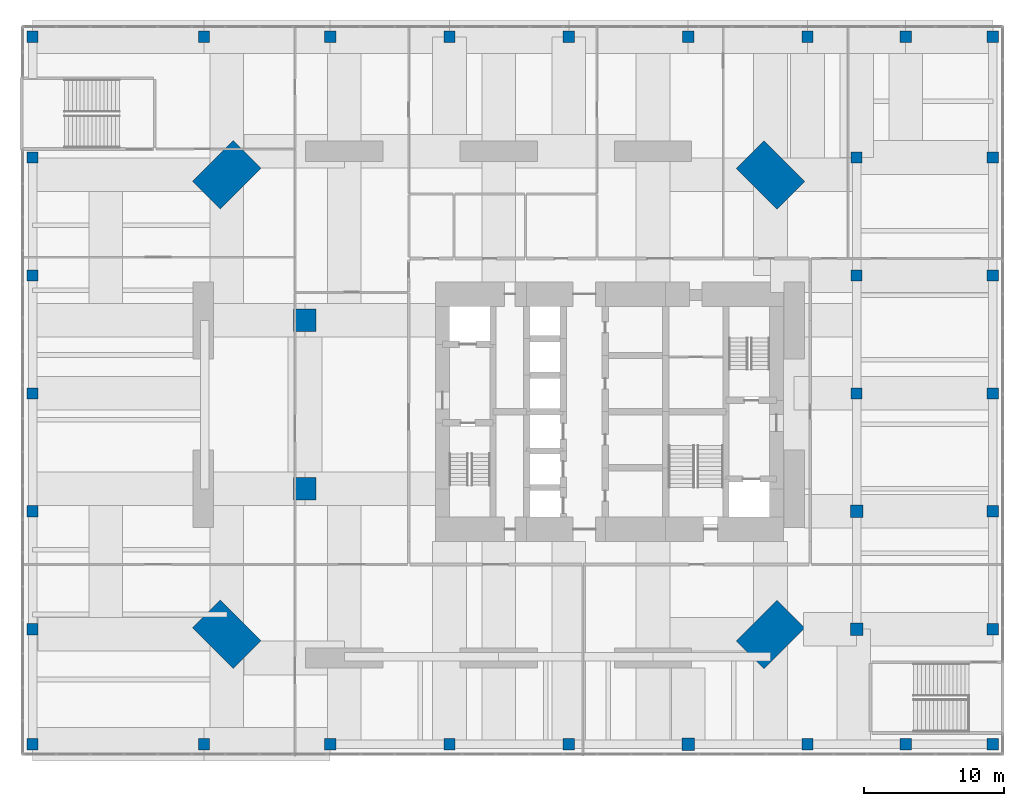
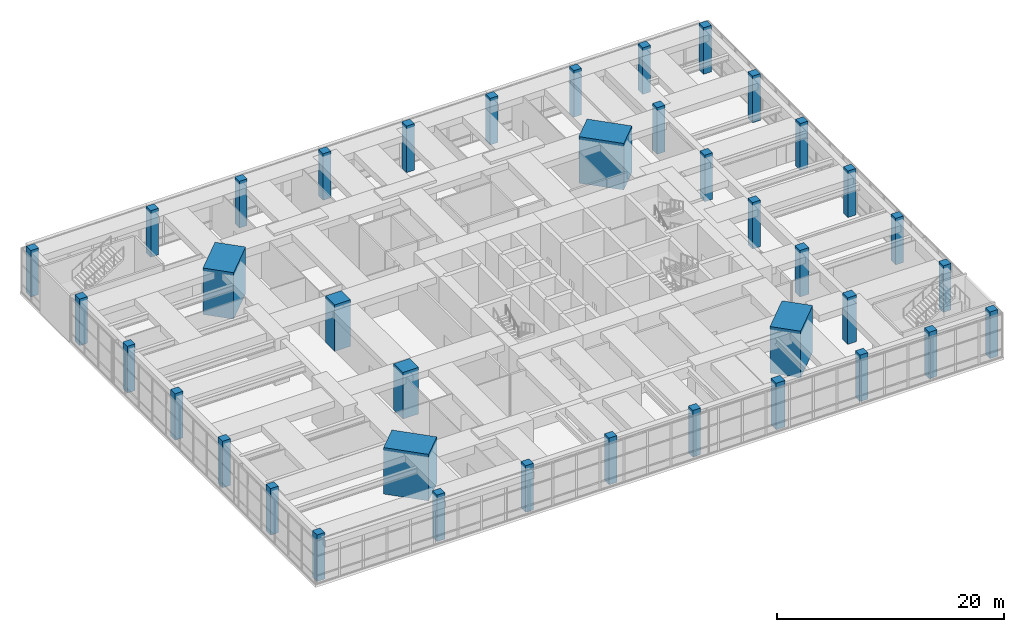
# One storey, part 1 of 24: 39 columns.
"""IFC4 building model written with IfcOpenShell, lengths in metres."""

from ifc_helpers import new_model, si_unit, direction, frame, origin, origin_2d, place, context, subcontext, project, spatial, rectangle, extrude, material, material_profile, profile_set, type_object, element, save


model = new_model("IFC4")

# Units and contexts
model_context = context("Model", 3, precision=1e-05, world=origin(), true_north=direction((0.0, 1.0)))
body_context = subcontext(model_context, "Body", "Model", "MODEL_VIEW")
ifc_project = project(units=[si_unit("LENGTHUNIT", "METRE"), si_unit("AREAUNIT", "SQUARE_METRE"), si_unit("VOLUMEUNIT", "CUBIC_METRE"), si_unit("PLANEANGLEUNIT", "RADIAN"), si_unit("MASSUNIT", "GRAM", prefix="KILO")], contexts=[model_context])

# Site, building, storey
site_placement = place(None, origin())
site = spatial("IfcSite", under=ifc_project, at=site_placement, CompositionType="ELEMENT")
building_placement = place(site_placement, origin())
building = spatial("IfcBuilding", under=site, at=building_placement, Name="Jalousie Tower", CompositionType="ELEMENT")
storey_placement = place(building_placement, frame((0.0, 0.0, 11.0)))
storey = spatial("IfcBuildingStorey", under=building, at=storey_placement, Name="L02", CompositionType="ELEMENT", Elevation=11.0)

# Columns
ifc_material_1 = material(Name="Concrete f'c 120 MPa", Category="concrete")
ifc_material_profile_1 = material_profile(ifc_material_1, rectangle(XDim=1.60009765625, YDim=1.60009765625, at=origin_2d()), Name="RC 1600x1600")
ifc_profile_set_1 = profile_set([ifc_material_profile_1], Name="Concrete f'c 120 MPa")
column_type_1 = type_object("IfcColumnType", Name="RC COLUMN 1600x1600", PredefinedType="COLUMN", material=ifc_profile_set_1)
for number, where, z_axis, x_axis, name in (
    (1, (10.199951171875, 13.0, 0.0), (0.0, 0.0, 1.0), (1.0, 0.0, 0.0), "Interior column IA1 L02"),
    (2, (10.199951171875, 25.0, 0.0), (0.0, 0.0, 1.0), (1.0, 0.0, 0.0), "Interior column IA2 L02"),
):
    element("IfcColumn", number, at=place(storey_placement, frame(where, z_axis=z_axis, x_axis=x_axis)), inside=storey, type_object=column_type_1, Name=name, PredefinedType="COLUMN", context=body_context, shape_type="SweptSolid", body=[
        extrude(rectangle(XDim=1.60009765625, YDim=1.60009765625, at=origin_2d()), origin(), (0.0, 0.0, 1.0), 5.0),
    ])
ifc_material_2 = material(Name="Concrete f'c 120 MPa", Category="concrete")
ifc_material_profile_2 = material_profile(ifc_material_2, rectangle(XDim=0.800048828125, YDim=0.800048828125, at=origin_2d()), Name="RC 800x800")
ifc_profile_set_2 = profile_set([ifc_material_profile_2], Name="Concrete f'c 120 MPa")
column_type_2 = type_object("IfcColumnType", Name="RC COLUMN 800x800", PredefinedType="COLUMN", material=ifc_profile_set_2)
for number, where, z_axis, x_axis, name in (
    (3, (-9.199951171875, -5.199951171875, 0.0), (0.0, 0.0, 1.0), (1.0, 0.0, 0.0), "Podium column P01 L02"),
    (4, (3.0, -5.199951171875, 0.0), (0.0, 0.0, 1.0), (1.0, 0.0, 0.0), "Podium column P02 L02"),
    (5, (12.0, -5.199951171875, 0.0), (0.0, 0.0, 1.0), (1.0, 0.0, 0.0), "Podium column P03 L02"),
    (6, (20.5, -5.199951171875, 0.0), (0.0, 0.0, 1.0), (1.0, 0.0, 0.0), "Podium column P04 L02"),
    (7, (29.0, -5.199951171875, 0.0), (0.0, 0.0, 1.0), (1.0, 0.0, 0.0), "Podium column P05 L02"),
    (8, (46.0, -5.199951171875, 0.0), (0.0, 0.0, 1.0), (1.0, 0.0, 0.0), "Podium column P07 L02"),
    (9, (53.0, -5.199951171875, 0.0), (0.0, 0.0, 1.0), (1.0, 0.0, 0.0), "Podium column P08 L02"),
    (10, (59.199951171875, -5.199951171875, 0.0), (0.0, 0.0, 1.0), (1.0, 0.0, 0.0), "Podium column P09 L02"),
    (11, (-9.199951171875, 3.0, 0.0), (0.0, 0.0, 1.0), (1.0, 0.0, 0.0), "Podium column P10 L02"),
    (12, (59.199951171875, 3.0, 0.0), (0.0, 0.0, 1.0), (1.0, 0.0, 0.0), "Podium column P12 L02"),
    (13, (-9.199951171875, 11.39990234375, 0.0), (0.0, 0.0, 1.0), (1.0, 0.0, 0.0), "Podium column P13 L02"),
    (14, (59.199951171875, 11.39990234375, 0.0), (0.0, 0.0, 1.0), (1.0, 0.0, 0.0), "Podium column P15 L02"),
    (15, (-9.199951171875, 19.800048828125, 0.0), (0.0, 0.0, 1.0), (1.0, 0.0, 0.0), "Podium column P16 L02"),
    (16, (49.5, 19.800048828125, 0.0), (0.0, 0.0, 1.0), (1.0, 0.0, 0.0), "Podium column P17 L02"),
    (17, (59.199951171875, 19.800048828125, 0.0), (0.0, 0.0, 1.0), (1.0, 0.0, 0.0), "Podium column P18 L02"),
    (18, (-9.199951171875, 28.199951171875, 0.0), (0.0, 0.0, 1.0), (1.0, 0.0, 0.0), "Podium column P19 L02"),
    (19, (49.5, 28.199951171875, 0.0), (0.0, 0.0, 1.0), (1.0, 0.0, 0.0), "Podium column P20 L02"),
    (20, (59.199951171875, 28.199951171875, 0.0), (0.0, 0.0, 1.0), (1.0, 0.0, 0.0), "Podium column P21 L02"),
    (21, (-9.199951171875, 36.60009765625, 0.0), (0.0, 0.0, 1.0), (1.0, 0.0, 0.0), "Podium column P22 L02"),
    (22, (49.5, 36.60009765625, 0.0), (0.0, 0.0, 1.0), (1.0, 0.0, 0.0), "Podium column P23 L02"),
    (23, (59.199951171875, 36.60009765625, 0.0), (0.0, 0.0, 1.0), (1.0, 0.0, 0.0), "Podium column P24 L02"),
    (24, (-9.199951171875, 45.199951171875, 0.0), (0.0, 0.0, 1.0), (1.0, 0.0, 0.0), "Podium column P25 L02"),
    (25, (3.0, 45.199951171875, 0.0), (0.0, 0.0, 1.0), (1.0, 0.0, 0.0), "Podium column P26 L02"),
    (26, (12.0, 45.199951171875, 0.0), (0.0, 0.0, 1.0), (1.0, 0.0, 0.0), "Podium column P27 L02"),
    (27, (20.5, 45.199951171875, 0.0), (0.0, 0.0, 1.0), (1.0, 0.0, 0.0), "Podium column P28 L02"),
    (28, (29.0, 45.199951171875, 0.0), (0.0, 0.0, 1.0), (1.0, 0.0, 0.0), "Podium column P29 L02"),
    (29, (37.5, 45.199951171875, 0.0), (0.0, 0.0, 1.0), (1.0, 0.0, 0.0), "Podium column P30 L02"),
    (30, (46.0, 45.199951171875, 0.0), (0.0, 0.0, 1.0), (1.0, 0.0, 0.0), "Podium column P31 L02"),
    (31, (53.0, 45.199951171875, 0.0), (0.0, 0.0, 1.0), (1.0, 0.0, 0.0), "Podium column P32 L02"),
    (32, (59.199951171875, 45.199951171875, 0.0), (0.0, 0.0, 1.0), (1.0, 0.0, 0.0), "Podium column P33 L02"),
):
    element("IfcColumn", number, at=place(storey_placement, frame(where, z_axis=z_axis, x_axis=x_axis)), inside=storey, type_object=column_type_2, Name=name, PredefinedType="COLUMN", context=body_context, shape_type="SweptSolid", body=[
        extrude(rectangle(XDim=0.800048828125, YDim=0.800048828125, at=origin_2d()), origin(), (0.0, 0.0, 1.0), 5.0),
    ])
ifc_material_3 = material(Name="Concrete f'c 120 MPa", Category="concrete")
ifc_material_profile_3 = material_profile(ifc_material_3, rectangle(XDim=0.89990234375, YDim=0.89990234375, at=origin_2d()), Name="RC 900x900")
ifc_profile_set_3 = profile_set([ifc_material_profile_3], Name="Concrete f'c 120 MPa")
column_type_3 = type_object("IfcColumnType", Name="RC COLUMN 900x900", PredefinedType="COLUMN", material=ifc_profile_set_3)
for number, where, z_axis, x_axis, name in (
    (33, (37.5, -5.199951171875, 0.0), (0.0, 0.0, 1.0), (1.0, 0.0, 0.0), "Podium column P06 L02"),
    (34, (49.5, 3.0, 0.0), (0.0, 0.0, 1.0), (1.0, 0.0, 0.0), "Podium column P11 L02"),
    (35, (49.5, 11.39990234375, 0.0), (0.0, 0.0, 1.0), (1.0, 0.0, 0.0), "Podium column P14 L02"),
):
    element("IfcColumn", number, at=place(storey_placement, frame(where, z_axis=z_axis, x_axis=x_axis)), inside=storey, type_object=column_type_3, Name=name, PredefinedType="COLUMN", context=body_context, shape_type="SweptSolid", body=[
        extrude(rectangle(XDim=0.89990234375, YDim=0.89990234375, at=origin_2d()), origin(), (0.0, 0.0, 1.0), 5.0),
    ])
ifc_material_4 = material(Name="Concrete f'c 120 MPa", Category="concrete")
ifc_material_profile_4 = material_profile(ifc_material_4, rectangle(XDim=2.800048828125, YDim=4.10009765625, at=origin_2d()), Name="RC 2800x4100")
ifc_profile_set_4 = profile_set([ifc_material_profile_4], Name="Concrete f'c 120 MPa")
column_type_4 = type_object("IfcColumnType", Name="RC CORNER COLUMN 2800x4100", PredefinedType="COLUMN", material=ifc_profile_set_4)
for number, where, z_axis, x_axis, name in (
    (36, (4.63134765625, 2.63134765625, 0.0), (0.0, 0.0, 1.0), (0.707106781187, 0.707106781187, 0.0), "Corner column 01 L02"),
    (37, (43.36865234375, 2.63134765625, 0.0), (0.0, 0.0, 1.0), (-0.707106781187, 0.707106781187, 0.0), "Corner column 05 L02"),
    (38, (43.36865234375, 35.36865234375, 0.0), (0.0, 0.0, 1.0), (-0.707106781187, -0.707106781187, 0.0), "Corner column 08 L02"),
    (39, (4.63134765625, 35.36865234375, 0.0), (0.0, 0.0, 1.0), (0.707106781187, -0.707106781187, 0.0), "Corner column 12 L02"),
):
    element("IfcColumn", number, at=place(storey_placement, frame(where, z_axis=z_axis, x_axis=x_axis)), inside=storey, type_object=column_type_4, Name=name, PredefinedType="COLUMN", context=body_context, shape_type="SweptSolid", body=[
        extrude(rectangle(XDim=2.800048828125, YDim=4.10009765625, at=origin_2d()), origin(), (0.0, 0.0, 1.0), 5.0),
    ])

save(model, "model.ifc")
